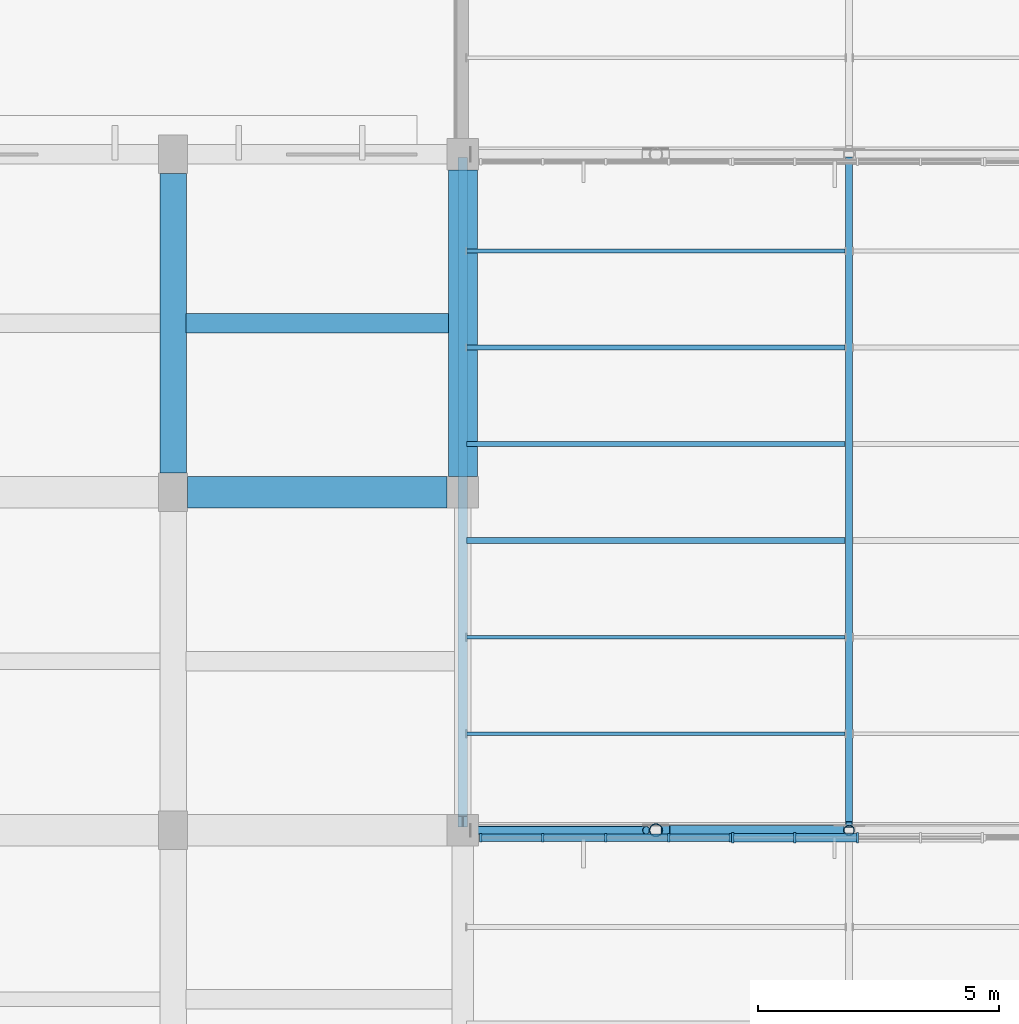
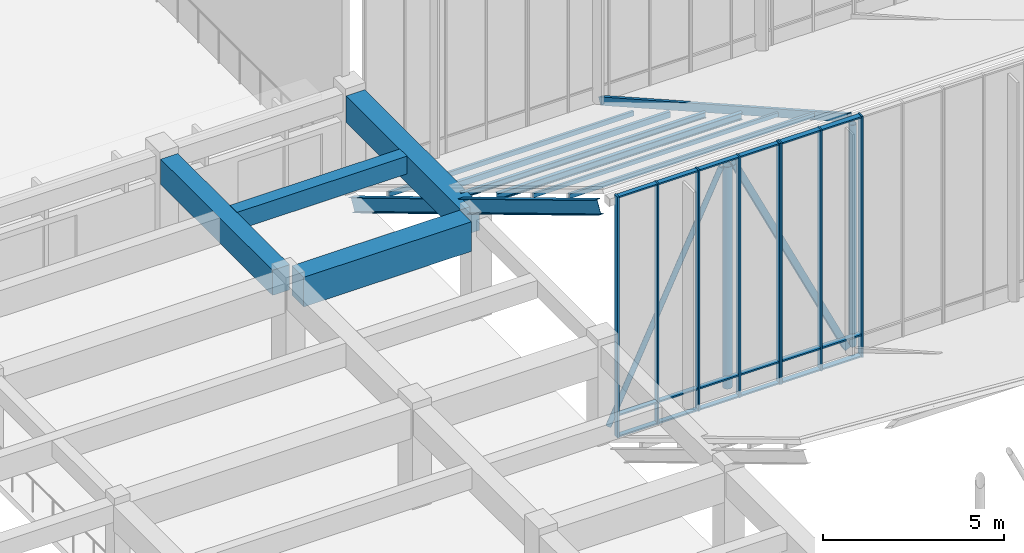
# One storey, part 62 of 155: 37 members, 5 beams, 2 elements without a shape of their own.
"""IFC4 building model written with IfcOpenShell, lengths in metres."""

from ifc_helpers import new_model, si_unit, direction, frame, origin, origin_2d, place, context, subcontext, project, spatial, rectangle, hollow_rectangle, hollow_circle, i_section, extrude, material, material_profile, profile_set, type_object, element, aggregate, save


model = new_model("IFC4")

# Units and contexts
model_context = context("Model", 3, precision=1e-05, world=origin(), true_north=direction((0.0, 1.0)))
body_context = subcontext(model_context, "Body", "Model", "MODEL_VIEW")
ifc_project = project(units=[si_unit("LENGTHUNIT", "METRE"), si_unit("AREAUNIT", "SQUARE_METRE"), si_unit("VOLUMEUNIT", "CUBIC_METRE"), si_unit("PLANEANGLEUNIT", "RADIAN"), si_unit("MASSUNIT", "GRAM", prefix="KILO")], contexts=[model_context])

# Site, building, storey
site_placement = place(None, origin())
site = spatial("IfcSite", under=ifc_project, at=site_placement, CompositionType="ELEMENT")
building_placement = place(site_placement, origin())
building = spatial("IfcBuilding", under=site, at=building_placement, Name="Larkveld Mobility Hub", CompositionType="ELEMENT")
storey_placement = place(building_placement, frame((0.0, 0.0, 8.39990234375)))
storey = spatial("IfcBuildingStorey", under=building, at=storey_placement, Name="L02", CompositionType="ELEMENT", Elevation=8.39990234375)

# Beams
ifc_material_1 = material(Name="Concrete C40/50", Category="concrete")
ifc_material_profile_1 = material_profile(ifc_material_1, rectangle(XDim=0.39990234375, YDim=0.60009765625, at=origin_2d()), Name="RC BM 400x600")
ifc_profile_set_1 = profile_set([ifc_material_profile_1], Name="Concrete C40/50")
beam_type_1 = type_object("IfcBeamType", Name="BM-RC4060", PredefinedType="BEAM", material=ifc_profile_set_1)
beam_1_placement = place(storey_placement, frame((146.27001953125, 108.5, 3.070068359375), z_axis=(1.0, 0.0, 0.0), x_axis=(0.0, 1.0, 0.0)))
element("IfcBeam", 1, at=beam_1_placement, inside=storey, type_object=beam_type_1, Name="Concourse Spine Joist L02-1108", PredefinedType="BEAM", context=body_context, shape_type="SweptSolid", body=[
    extrude(rectangle(XDim=0.39990234375, YDim=0.60009765625, at=origin_2d()), origin(), (0.0, 0.0, 1.0), 5.43505859375),
])
ifc_material_profile_2 = material_profile(ifc_material_1, rectangle(XDim=0.550048828125, YDim=0.85009765625, at=origin_2d()), Name="RC BM 550x850")
ifc_profile_set_2 = profile_set([ifc_material_profile_2], Name="Concrete C40/50")
beam_type_2 = type_object("IfcBeamType", Name="BM-RC5585", PredefinedType="BEAM", material=ifc_profile_set_2)
beam_2_placement = place(storey_placement, frame((146.0, 105.39990234375, 2.93505859375), z_axis=(0.0, 1.0, 0.0), x_axis=(-1.0, 0.0, 0.0)))
element("IfcBeam", 2, at=beam_2_placement, inside=storey, type_object=beam_type_2, Name="Primary N-S Girder L02-0670", PredefinedType="BEAM", context=body_context, shape_type="SweptSolid", body=[
    extrude(rectangle(XDim=0.550048828125, YDim=0.85009765625, at=origin_2d()), origin(), (0.0, 0.0, 1.0), 6.2001953125),
])
ifc_material_profile_3 = material_profile(ifc_material_1, rectangle(XDim=0.60009765625, YDim=0.89990234375, at=origin_2d()), Name="RC BM 600x900")
ifc_profile_set_3 = profile_set([ifc_material_profile_3], Name="Concrete C40/50")
beam_type_3 = type_object("IfcBeamType", Name="BM-RC6090", PredefinedType="BEAM", material=ifc_profile_set_3)
beam_3_placement = place(storey_placement, frame((152.0, 105.324951171875, 2.91015625), z_axis=(0.0, 1.0, 0.0), x_axis=(-1.0, 0.0, 0.0)))
element("IfcBeam", 3, at=beam_3_placement, inside=storey, type_object=beam_type_3, Name="Primary N-S Girder L02-0685", PredefinedType="BEAM", context=body_context, shape_type="SweptSolid", body=[
    extrude(rectangle(XDim=0.60009765625, YDim=0.89990234375, at=origin_2d()), origin(), (0.0, 0.0, 1.0), 6.35009765625),
])
ifc_material_profile_4 = material_profile(ifc_material_1, rectangle(XDim=0.64990234375, YDim=1.0, at=origin_2d()), Name="RC BM 650x1000")
ifc_profile_set_4 = profile_set([ifc_material_profile_4], Name="Concrete C40/50")
beam_type_4 = type_object("IfcBeamType", Name="BM-RC65100", PredefinedType="BEAM", material=ifc_profile_set_4)
beam_4_placement = place(storey_placement, frame((146.300048828125, 105.0, 2.860107421875), z_axis=(1.0, 0.0, 0.0), x_axis=(0.0, 1.0, 0.0)))
element("IfcBeam", 4, at=beam_4_placement, inside=storey, type_object=beam_type_4, Name="Primary E-W Girder L02-0555", PredefinedType="BEAM", context=body_context, shape_type="SweptSolid", body=[
    extrude(rectangle(XDim=0.64990234375, YDim=1.0, at=origin_2d()), origin(), (0.0, 0.0, 1.0), 5.375),
])
ifc_material_2 = material(Name="Steel S355JR", Category="steel")
ifc_material_profile_5 = material_profile(ifc_material_2, i_section(OverallWidth=0.18994140625, OverallDepth=0.449951171875, WebThickness=0.009521484375, FlangeThickness=0.0146484375, FilletRadius=0.02099609375, at=origin_2d()), Name="IPE 450")
ifc_profile_set_5 = profile_set([ifc_material_profile_5], Name="Steel S355JR")
beam_type_5 = type_object("IfcBeamType", Name="BM-STIPE450", PredefinedType="BEAM", material=ifc_profile_set_5)
beam_5_placement = place(storey_placement, frame((152.0, 98.179931640625, 7.68408203125), z_axis=(0.0, 0.857492925713, -0.514495755428), x_axis=(-1.0, 0.0, 0.0)))
element("IfcBeam", 5, at=beam_5_placement, inside=storey, type_object=beam_type_5, Name="ROOF TRUSS Sawtooth Edge Rafter B6-152", PredefinedType="BEAM", context=body_context, shape_type="SweptSolid", body=[
    extrude(i_section(OverallWidth=0.18994140625, OverallDepth=0.449951171875, WebThickness=0.009521484375, FlangeThickness=0.0146484375, FilletRadius=0.02099609375, at=origin_2d()), origin(), (0.0, 0.0, 1.0), 15.906982421875),
])

# Curtain wall, members
ifc_material_3 = material(Name="Anodised aluminium 6063-T6", Category="aluminium")
curtain_wall_type_1 = type_object("IfcCurtainWallType", Name="CW-SYS-02", PredefinedType="NOTDEFINED", material=ifc_material_3)
curtain_wall_1_placement = place(storey_placement, origin())
curtain_wall_1 = element("IfcCurtainWall", 6, at=curtain_wall_1_placement, inside=storey, type_object=curtain_wall_type_1, Name="Sawtooth South-Light Clerestory B6 CW-038", PredefinedType="NOTDEFINED")
ifc_material_profile_6 = material_profile(ifc_material_3, rectangle(XDim=0.050048828125, YDim=0.179931640625, at=origin_2d()), Name="ALU MULL 50x180")
ifc_profile_set_6 = profile_set([ifc_material_profile_6], Name="Anodised aluminium 6063-T6")
member_type_1 = type_object("IfcMemberType", Name="CW-MUL-02", PredefinedType="MULLION", material=ifc_profile_set_6)
member_1_placement = place(storey_placement, frame((152.375, 97.844970703125, -0.001953125), z_axis=(0.0, 0.0, 1.0), x_axis=(1.0, 0.0, 0.0)))
member_1 = element("IfcMember", 7, at=member_1_placement, type_object=member_type_1, Name="CW02 mullion 1", PredefinedType="MULLION", context=body_context, shape_type="SweptSolid", body=[
    extrude(rectangle(XDim=0.050048828125, YDim=0.179931640625, at=origin_2d()), origin(), (0.0, 0.0, 1.0), 8.152099609375),
])
member_2_placement = place(storey_placement, frame((153.654052734375, 97.844970703125, -0.001953125), z_axis=(0.0, 0.0, 1.0), x_axis=(1.0, 0.0, 0.0)))
member_2 = element("IfcMember", 8, at=member_2_placement, type_object=member_type_1, Name="CW02 mullion 2", PredefinedType="MULLION", context=body_context, shape_type="SweptSolid", body=[
    extrude(rectangle(XDim=0.050048828125, YDim=0.179931640625, at=origin_2d()), origin(), (0.0, 0.0, 1.0), 8.152099609375),
])
member_3_placement = place(storey_placement, frame((154.9580078125, 97.844970703125, -0.001953125), z_axis=(0.0, 0.0, 1.0), x_axis=(1.0, 0.0, 0.0)))
member_3 = element("IfcMember", 9, at=member_3_placement, type_object=member_type_1, Name="CW02 mullion 3", PredefinedType="MULLION", context=body_context, shape_type="SweptSolid", body=[
    extrude(rectangle(XDim=0.050048828125, YDim=0.179931640625, at=origin_2d()), origin(), (0.0, 0.0, 1.0), 8.152099609375),
])
member_4_placement = place(storey_placement, frame((156.261962890625, 97.844970703125, -0.001953125), z_axis=(0.0, 0.0, 1.0), x_axis=(1.0, 0.0, 0.0)))
member_4 = element("IfcMember", 10, at=member_4_placement, type_object=member_type_1, Name="CW02 mullion 4", PredefinedType="MULLION", context=body_context, shape_type="SweptSolid", body=[
    extrude(rectangle(XDim=0.050048828125, YDim=0.179931640625, at=origin_2d()), origin(), (0.0, 0.0, 1.0), 8.152099609375),
])
member_5_placement = place(storey_placement, frame((157.5419921875, 97.844970703125, -0.001953125), z_axis=(0.0, 0.0, 1.0), x_axis=(1.0, 0.0, 0.0)))
member_5 = element("IfcMember", 11, at=member_5_placement, type_object=member_type_1, Name="CW02 mullion 5", PredefinedType="MULLION", context=body_context, shape_type="SweptSolid", body=[
    extrude(rectangle(XDim=0.050048828125, YDim=0.179931640625, at=origin_2d()), origin(), (0.0, 0.0, 1.0), 8.152099609375),
])

curtain_wall_type_2 = type_object("IfcCurtainWallType", Name="CW-SYS-03", PredefinedType="NOTDEFINED", material=ifc_material_3)
curtain_wall_2_placement = place(storey_placement, origin())
curtain_wall_2 = element("IfcCurtainWall", 12, at=curtain_wall_2_placement, inside=storey, type_object=curtain_wall_type_2, Name="Sawtooth South-Light Clerestory B6 CW-039", PredefinedType="NOTDEFINED")
ifc_material_profile_7 = material_profile(ifc_material_3, rectangle(XDim=0.050048828125, YDim=0.2099609375, at=origin_2d()), Name="ALU MULL 50x210")
ifc_profile_set_7 = profile_set([ifc_material_profile_7], Name="Anodised aluminium 6063-T6")
member_type_2 = type_object("IfcMemberType", Name="CW-MUL-03", PredefinedType="MULLION", material=ifc_profile_set_7)
member_6_placement = place(storey_placement, frame((157.592041015625, 97.844970703125, -0.001953125), z_axis=(0.0, 0.0, 1.0), x_axis=(1.0, 0.0, 0.0)))
member_6 = element("IfcMember", 13, at=member_6_placement, type_object=member_type_2, Name="CW03 mullion 1", PredefinedType="MULLION", context=body_context, shape_type="SweptSolid", body=[
    extrude(rectangle(XDim=0.050048828125, YDim=0.2099609375, at=origin_2d()), origin(), (0.0, 0.0, 1.0), 8.152099609375),
])
member_7_placement = place(storey_placement, frame((158.87109375, 97.844970703125, -0.001953125), z_axis=(0.0, 0.0, 1.0), x_axis=(1.0, 0.0, 0.0)))
member_7 = element("IfcMember", 14, at=member_7_placement, type_object=member_type_2, Name="CW03 mullion 2", PredefinedType="MULLION", context=body_context, shape_type="SweptSolid", body=[
    extrude(rectangle(XDim=0.050048828125, YDim=0.2099609375, at=origin_2d()), origin(), (0.0, 0.0, 1.0), 8.152099609375),
])
member_8_placement = place(storey_placement, frame((160.175048828125, 97.844970703125, -0.001953125), z_axis=(0.0, 0.0, 1.0), x_axis=(1.0, 0.0, 0.0)))
member_8 = element("IfcMember", 15, at=member_8_placement, type_object=member_type_2, Name="CW03 mullion 3", PredefinedType="MULLION", context=body_context, shape_type="SweptSolid", body=[
    extrude(rectangle(XDim=0.050048828125, YDim=0.2099609375, at=origin_2d()), origin(), (0.0, 0.0, 1.0), 8.152099609375),
])

# Member
ifc_material_profile_8 = material_profile(ifc_material_3, rectangle(XDim=0.14990234375, YDim=0.050048828125, at=origin_2d()), Name="ALU TRAN 50x150")
ifc_profile_set_8 = profile_set([ifc_material_profile_8], Name="Anodised aluminium 6063-T6")
member_type_3 = type_object("IfcMemberType", Name="CW-TRN-02", PredefinedType="USERDEFINED", material=ifc_profile_set_8)
member_9_placement = place(storey_placement, frame((152.385009765625, 97.844970703125, 0.030029296875), z_axis=(1.0, 0.0, 0.0), x_axis=(0.0, 1.0, 0.0)))
member_9 = element("IfcMember", 16, at=member_9_placement, type_object=member_type_3, Name="CW02 transom 1.1", ObjectType="TRANSOM", PredefinedType="USERDEFINED", context=body_context, shape_type="SweptSolid", body=[
    extrude(rectangle(XDim=0.14990234375, YDim=0.050048828125, at=origin_2d()), origin(), (0.0, 0.0, 1.0), 1.25390625),
])

member_10_placement = place(storey_placement, frame((152.385009765625, 97.844970703125, 0.75), z_axis=(1.0, 0.0, 0.0), x_axis=(0.0, 1.0, 0.0)))
member_10 = element("IfcMember", 17, at=member_10_placement, type_object=member_type_3, Name="CW02 transom 1.2", ObjectType="TRANSOM", PredefinedType="USERDEFINED", context=body_context, shape_type="SweptSolid", body=[
    extrude(rectangle(XDim=0.14990234375, YDim=0.050048828125, at=origin_2d()), origin(), (0.0, 0.0, 1.0), 1.25390625),
])

member_11_placement = place(storey_placement, frame((152.385009765625, 97.844970703125, 8.1181640625), z_axis=(1.0, 0.0, 0.0), x_axis=(0.0, 1.0, 0.0)))
member_11 = element("IfcMember", 18, at=member_11_placement, type_object=member_type_3, Name="CW02 transom 1.3", ObjectType="TRANSOM", PredefinedType="USERDEFINED", context=body_context, shape_type="SweptSolid", body=[
    extrude(rectangle(XDim=0.14990234375, YDim=0.050048828125, at=origin_2d()), origin(), (0.0, 0.0, 1.0), 1.25390625),
])

member_12_placement = place(storey_placement, frame((153.6689453125, 97.844970703125, 0.030029296875), z_axis=(1.0, 0.0, 0.0), x_axis=(0.0, 1.0, 0.0)))
member_12 = element("IfcMember", 19, at=member_12_placement, type_object=member_type_3, Name="CW02 transom 2.1", ObjectType="TRANSOM", PredefinedType="USERDEFINED", context=body_context, shape_type="SweptSolid", body=[
    extrude(rectangle(XDim=0.14990234375, YDim=0.050048828125, at=origin_2d()), origin(), (0.0, 0.0, 1.0), 1.274169921875),
])

member_13_placement = place(storey_placement, frame((153.6689453125, 97.844970703125, 0.75), z_axis=(1.0, 0.0, 0.0), x_axis=(0.0, 1.0, 0.0)))
member_13 = element("IfcMember", 20, at=member_13_placement, type_object=member_type_3, Name="CW02 transom 2.2", ObjectType="TRANSOM", PredefinedType="USERDEFINED", context=body_context, shape_type="SweptSolid", body=[
    extrude(rectangle(XDim=0.14990234375, YDim=0.050048828125, at=origin_2d()), origin(), (0.0, 0.0, 1.0), 1.274169921875),
])

member_14_placement = place(storey_placement, frame((153.6689453125, 97.844970703125, 8.1181640625), z_axis=(1.0, 0.0, 0.0), x_axis=(0.0, 1.0, 0.0)))
member_14 = element("IfcMember", 21, at=member_14_placement, type_object=member_type_3, Name="CW02 transom 2.3", ObjectType="TRANSOM", PredefinedType="USERDEFINED", context=body_context, shape_type="SweptSolid", body=[
    extrude(rectangle(XDim=0.14990234375, YDim=0.050048828125, at=origin_2d()), origin(), (0.0, 0.0, 1.0), 1.274169921875),
])

member_15_placement = place(storey_placement, frame((154.972900390625, 97.844970703125, 0.030029296875), z_axis=(1.0, 0.0, 0.0), x_axis=(0.0, 1.0, 0.0)))
member_15 = element("IfcMember", 22, at=member_15_placement, type_object=member_type_3, Name="CW02 transom 3.1", ObjectType="TRANSOM", PredefinedType="USERDEFINED", context=body_context, shape_type="SweptSolid", body=[
    extrude(rectangle(XDim=0.14990234375, YDim=0.050048828125, at=origin_2d()), origin(), (0.0, 0.0, 1.0), 1.275146484375),
])

member_16_placement = place(storey_placement, frame((154.972900390625, 97.844970703125, 0.75), z_axis=(1.0, 0.0, 0.0), x_axis=(0.0, 1.0, 0.0)))
member_16 = element("IfcMember", 23, at=member_16_placement, type_object=member_type_3, Name="CW02 transom 3.2", ObjectType="TRANSOM", PredefinedType="USERDEFINED", context=body_context, shape_type="SweptSolid", body=[
    extrude(rectangle(XDim=0.14990234375, YDim=0.050048828125, at=origin_2d()), origin(), (0.0, 0.0, 1.0), 1.275146484375),
])

member_17_placement = place(storey_placement, frame((154.972900390625, 97.844970703125, 8.1181640625), z_axis=(1.0, 0.0, 0.0), x_axis=(0.0, 1.0, 0.0)))
member_17 = element("IfcMember", 24, at=member_17_placement, type_object=member_type_3, Name="CW02 transom 3.3", ObjectType="TRANSOM", PredefinedType="USERDEFINED", context=body_context, shape_type="SweptSolid", body=[
    extrude(rectangle(XDim=0.14990234375, YDim=0.050048828125, at=origin_2d()), origin(), (0.0, 0.0, 1.0), 1.275146484375),
])

member_18_placement = place(storey_placement, frame((156.278076171875, 97.844970703125, 0.030029296875), z_axis=(1.0, 0.0, 0.0), x_axis=(0.0, 1.0, 0.0)))
member_18 = element("IfcMember", 25, at=member_18_placement, type_object=member_type_3, Name="CW02 transom 4.1", ObjectType="TRANSOM", PredefinedType="USERDEFINED", context=body_context, shape_type="SweptSolid", body=[
    extrude(rectangle(XDim=0.14990234375, YDim=0.050048828125, at=origin_2d()), origin(), (0.0, 0.0, 1.0), 1.25390625),
])

member_19_placement = place(storey_placement, frame((156.278076171875, 97.844970703125, 0.75), z_axis=(1.0, 0.0, 0.0), x_axis=(0.0, 1.0, 0.0)))
member_19 = element("IfcMember", 26, at=member_19_placement, type_object=member_type_3, Name="CW02 transom 4.2", ObjectType="TRANSOM", PredefinedType="USERDEFINED", context=body_context, shape_type="SweptSolid", body=[
    extrude(rectangle(XDim=0.14990234375, YDim=0.050048828125, at=origin_2d()), origin(), (0.0, 0.0, 1.0), 1.25390625),
])

member_20_placement = place(storey_placement, frame((156.278076171875, 97.844970703125, 8.1181640625), z_axis=(1.0, 0.0, 0.0), x_axis=(0.0, 1.0, 0.0)))
member_20 = element("IfcMember", 27, at=member_20_placement, type_object=member_type_3, Name="CW02 transom 4.3", ObjectType="TRANSOM", PredefinedType="USERDEFINED", context=body_context, shape_type="SweptSolid", body=[
    extrude(rectangle(XDim=0.14990234375, YDim=0.050048828125, at=origin_2d()), origin(), (0.0, 0.0, 1.0), 1.25390625),
])

aggregate(curtain_wall_1, [member_1, member_2, member_3, member_4, member_5, member_9, member_10, member_11, member_12, member_13, member_14, member_15, member_16, member_17, member_18, member_19, member_20])

ifc_material_profile_9 = material_profile(ifc_material_3, rectangle(XDim=0.169921875, YDim=0.050048828125, at=origin_2d()), Name="ALU TRAN 50x170")
ifc_profile_set_9 = profile_set([ifc_material_profile_9], Name="Anodised aluminium 6063-T6")
member_type_4 = type_object("IfcMemberType", Name="CW-TRN-03", PredefinedType="USERDEFINED", material=ifc_profile_set_9)
member_21_placement = place(storey_placement, frame((157.60205078125, 97.844970703125, 0.030029296875), z_axis=(1.0, 0.0, 0.0), x_axis=(0.0, 1.0, 0.0)))
member_21 = element("IfcMember", 28, at=member_21_placement, type_object=member_type_4, Name="CW03 transom 1.1", ObjectType="TRANSOM", PredefinedType="USERDEFINED", context=body_context, shape_type="SweptSolid", body=[
    extrude(rectangle(XDim=0.169921875, YDim=0.050048828125, at=origin_2d()), origin(), (0.0, 0.0, 1.0), 1.25390625),
])

member_22_placement = place(storey_placement, frame((157.60205078125, 97.844970703125, 0.75), z_axis=(1.0, 0.0, 0.0), x_axis=(0.0, 1.0, 0.0)))
member_22 = element("IfcMember", 29, at=member_22_placement, type_object=member_type_4, Name="CW03 transom 1.2", ObjectType="TRANSOM", PredefinedType="USERDEFINED", context=body_context, shape_type="SweptSolid", body=[
    extrude(rectangle(XDim=0.169921875, YDim=0.050048828125, at=origin_2d()), origin(), (0.0, 0.0, 1.0), 1.25390625),
])

member_23_placement = place(storey_placement, frame((157.60205078125, 97.844970703125, 8.1181640625), z_axis=(1.0, 0.0, 0.0), x_axis=(0.0, 1.0, 0.0)))
member_23 = element("IfcMember", 30, at=member_23_placement, type_object=member_type_4, Name="CW03 transom 1.3", ObjectType="TRANSOM", PredefinedType="USERDEFINED", context=body_context, shape_type="SweptSolid", body=[
    extrude(rectangle(XDim=0.169921875, YDim=0.050048828125, at=origin_2d()), origin(), (0.0, 0.0, 1.0), 1.25390625),
])

member_24_placement = place(storey_placement, frame((158.885986328125, 97.844970703125, 0.030029296875), z_axis=(1.0, 0.0, 0.0), x_axis=(0.0, 1.0, 0.0)))
member_24 = element("IfcMember", 31, at=member_24_placement, type_object=member_type_4, Name="CW03 transom 2.1", ObjectType="TRANSOM", PredefinedType="USERDEFINED", context=body_context, shape_type="SweptSolid", body=[
    extrude(rectangle(XDim=0.169921875, YDim=0.050048828125, at=origin_2d()), origin(), (0.0, 0.0, 1.0), 1.27392578125),
])

member_25_placement = place(storey_placement, frame((158.885986328125, 97.844970703125, 0.75), z_axis=(1.0, 0.0, 0.0), x_axis=(0.0, 1.0, 0.0)))
member_25 = element("IfcMember", 32, at=member_25_placement, type_object=member_type_4, Name="CW03 transom 2.2", ObjectType="TRANSOM", PredefinedType="USERDEFINED", context=body_context, shape_type="SweptSolid", body=[
    extrude(rectangle(XDim=0.169921875, YDim=0.050048828125, at=origin_2d()), origin(), (0.0, 0.0, 1.0), 1.27392578125),
])

member_26_placement = place(storey_placement, frame((158.885986328125, 97.844970703125, 8.1181640625), z_axis=(1.0, 0.0, 0.0), x_axis=(0.0, 1.0, 0.0)))
member_26 = element("IfcMember", 33, at=member_26_placement, type_object=member_type_4, Name="CW03 transom 2.3", ObjectType="TRANSOM", PredefinedType="USERDEFINED", context=body_context, shape_type="SweptSolid", body=[
    extrude(rectangle(XDim=0.169921875, YDim=0.050048828125, at=origin_2d()), origin(), (0.0, 0.0, 1.0), 1.27392578125),
])

aggregate(curtain_wall_2, [member_6, member_7, member_8, member_21, member_22, member_23, member_24, member_25, member_26])

# Members
ifc_material_profile_10 = material_profile(ifc_material_2, hollow_circle(Radius=0.084228515625, WallThickness=0.008056640625, at=origin_2d()), Name="CHS 168.3x8")
ifc_profile_set_10 = profile_set([ifc_material_profile_10], Name="Steel S355JR")
member_type_5 = type_object("IfcMemberType", Name="MB-BR-CHS168", PredefinedType="BRACE", material=ifc_profile_set_10)
member_27_placement = place(storey_placement, frame((152.199951171875, 98.0, 0.32421875), z_axis=(0.432694817509, 0.0, 0.901540456608), x_axis=(0.0, 1.0, 0.0)))
element("IfcMember", 34, at=member_27_placement, inside=storey, type_object=member_type_5, Name="ROOF TRUSS T6 Web Diagonal 1", PredefinedType="BRACE", context=body_context, shape_type="SweptSolid", body=[
    extrude(hollow_circle(Radius=0.084228515625, WallThickness=0.008056640625, at=origin_2d()), origin(), (0.0, 0.0, 1.0), 8.320068359375),
])
ifc_material_profile_11 = material_profile(ifc_material_2, hollow_circle(Radius=0.109619140625, WallThickness=0.010009765625, at=origin_2d()), Name="CHS 219.1x10")
ifc_profile_set_11 = profile_set([ifc_material_profile_11], Name="Steel S355JR")
member_type_6 = type_object("IfcMemberType", Name="MB-BR-CHS219", PredefinedType="BRACE", material=ifc_profile_set_11)
member_28_placement = place(storey_placement, frame((160.0, 98.0, 0.32421875), z_axis=(0.0, 0.0, 1.0), x_axis=(1.0, 0.0, 0.0)))
element("IfcMember", 35, at=member_28_placement, inside=storey, type_object=member_type_6, Name="ROOF TRUSS T6 Vertical Post 2", PredefinedType="BRACE", context=body_context, shape_type="SweptSolid", body=[
    extrude(hollow_circle(Radius=0.109619140625, WallThickness=0.010009765625, at=origin_2d()), origin(), (0.0, 0.0, 1.0), 7.5009765625),
])
ifc_material_profile_12 = material_profile(ifc_material_2, hollow_circle(Radius=0.136474609375, WallThickness=0.012451171875, at=origin_2d()), Name="CHS 273x12.5")
ifc_profile_set_12 = profile_set([ifc_material_profile_12], Name="Steel S355JR")
member_type_7 = type_object("IfcMemberType", Name="MB-BR-CHS273", PredefinedType="BRACE", material=ifc_profile_set_12)
member_29_placement = place(storey_placement, frame((156.0, 98.0, 0.32421875), z_axis=(0.0, 0.0, 1.0), x_axis=(1.0, 0.0, 0.0)))
element("IfcMember", 36, at=member_29_placement, inside=storey, type_object=member_type_7, Name="ROOF TRUSS T6 Vertical Post 1", PredefinedType="BRACE", context=body_context, shape_type="SweptSolid", body=[
    extrude(hollow_circle(Radius=0.136474609375, WallThickness=0.012451171875, at=origin_2d()), origin(), (0.0, 0.0, 1.0), 7.5009765625),
])
ifc_material_profile_13 = material_profile(ifc_material_2, hollow_rectangle(XDim=0.199951171875, YDim=0.199951171875, WallThickness=0.010009765625, at=origin_2d()), Name="SHS 200x200x10")
ifc_profile_set_13 = profile_set([ifc_material_profile_13], Name="Steel S355JR")
member_type_8 = type_object("IfcMemberType", Name="MB-BR-SHS200", PredefinedType="BRACE", material=ifc_profile_set_13)
member_30_placement = place(storey_placement, frame((156.199951171875, 98.0, 7.8251953125), z_axis=(0.432694817509, 0.0, -0.901540456608), x_axis=(0.0, 1.0, 0.0)))
element("IfcMember", 37, at=member_30_placement, inside=storey, type_object=member_type_8, Name="ROOF TRUSS T6 Web Diagonal 2", PredefinedType="BRACE", context=body_context, shape_type="SweptSolid", body=[
    extrude(hollow_rectangle(XDim=0.199951171875, YDim=0.199951171875, WallThickness=0.010009765625, at=origin_2d()), origin(), (0.0, 0.0, 1.0), 8.320068359375),
])
ifc_material_profile_14 = material_profile(ifc_material_2, hollow_rectangle(XDim=0.14990234375, YDim=0.25, WallThickness=0.010009765625, at=origin_2d()), Name="RHS 250x150x10")
ifc_profile_set_14 = profile_set([ifc_material_profile_14], Name="Steel S355JR")
member_type_9 = type_object("IfcMemberType", Name="MB-CH-RHS250", PredefinedType="CHORD", material=ifc_profile_set_14)
member_31_placement = place(storey_placement, frame((160.0, 98.1201171875, 7.9501953125), z_axis=(0.0, 0.870759014799, -0.491710014283), x_axis=(-1.0, 0.0, 0.0)))
element("IfcMember", 38, at=member_31_placement, inside=storey, type_object=member_type_9, Name="ROOF TRUSS Sloped Rafter Chord B6-160", PredefinedType="CHORD", context=body_context, shape_type="SweptSolid", body=[
    extrude(hollow_rectangle(XDim=0.14990234375, YDim=0.25, WallThickness=0.010009765625, at=origin_2d()), origin(), (0.0, 0.0, 1.0), 15.802001953125),
])
ifc_material_profile_15 = material_profile(ifc_material_2, i_section(OverallWidth=0.10009765625, OverallDepth=0.199951171875, WebThickness=0.005615234375, FlangeThickness=0.008544921875, FilletRadius=0.011962890625, at=origin_2d()), Name="IPE 200")
ifc_profile_set_15 = profile_set([ifc_material_profile_15], Name="Steel S355JR")
member_type_10 = type_object("IfcMemberType", Name="MB-PR-IPE200", PredefinedType="PURLIN", material=ifc_profile_set_15)
member_32_placement = place(storey_placement, frame((152.080078125, 106.0, 3.30712890625), z_axis=(1.0, 0.0, 0.0), x_axis=(0.0, 1.0, 0.0)))
element("IfcMember", 39, at=member_32_placement, inside=storey, type_object=member_type_10, Name="Sawtooth Roof Purlin B6-4.1", PredefinedType="PURLIN", context=body_context, shape_type="SweptSolid", body=[
    extrude(i_section(OverallWidth=0.10009765625, OverallDepth=0.199951171875, WebThickness=0.005615234375, FlangeThickness=0.008544921875, FilletRadius=0.011962890625, at=origin_2d()), origin(), (0.0, 0.0, 1.0), 7.83984375),
])
ifc_material_profile_16 = material_profile(ifc_material_2, i_section(OverallWidth=0.1201171875, OverallDepth=0.239990234375, WebThickness=0.006103515625, FlangeThickness=0.009765625, FilletRadius=0.014892578125, at=origin_2d()), Name="IPE 240")
ifc_profile_set_16 = profile_set([ifc_material_profile_16], Name="Steel S355JR")
member_type_11 = type_object("IfcMemberType", Name="MB-PR-IPE240", PredefinedType="PURLIN", material=ifc_profile_set_16)
member_33_placement = place(storey_placement, frame((152.080078125, 104.0, 4.487060546875), z_axis=(1.0, 0.0, 0.0), x_axis=(0.0, 1.0, 0.0)))
element("IfcMember", 40, at=member_33_placement, inside=storey, type_object=member_type_11, Name="Sawtooth Roof Purlin B6-3.1", PredefinedType="PURLIN", context=body_context, shape_type="SweptSolid", body=[
    extrude(i_section(OverallWidth=0.1201171875, OverallDepth=0.239990234375, WebThickness=0.006103515625, FlangeThickness=0.009765625, FilletRadius=0.014892578125, at=origin_2d()), origin(), (0.0, 0.0, 1.0), 7.83984375),
])
ifc_material_profile_17 = material_profile(ifc_material_2, hollow_rectangle(XDim=0.070068359375, YDim=0.139892578125, WallThickness=0.00634765625, at=origin_2d()), Name="RHS 140x70x6.3")
ifc_profile_set_17 = profile_set([ifc_material_profile_17], Name="Steel S355JR")
member_type_12 = type_object("IfcMemberType", Name="MB-PR-RHS140", PredefinedType="PURLIN", material=ifc_profile_set_17)
member_34_placement = place(storey_placement, frame((152.080078125, 102.0, 5.737060546875), z_axis=(1.0, 0.0, 0.0), x_axis=(0.0, 1.0, 0.0)))
element("IfcMember", 41, at=member_34_placement, inside=storey, type_object=member_type_12, Name="Sawtooth Roof Purlin B6-2.1", PredefinedType="PURLIN", context=body_context, shape_type="SweptSolid", body=[
    extrude(hollow_rectangle(XDim=0.070068359375, YDim=0.139892578125, WallThickness=0.00634765625, at=origin_2d()), origin(), (0.0, 0.0, 1.0), 7.83984375),
])
ifc_material_profile_18 = material_profile(ifc_material_2, hollow_rectangle(XDim=0.080078125, YDim=0.159912109375, WallThickness=0.008056640625, at=origin_2d()), Name="RHS 160x80x8")
ifc_profile_set_18 = profile_set([ifc_material_profile_18], Name="Steel S355JR")
member_type_13 = type_object("IfcMemberType", Name="MB-PR-RHS160", PredefinedType="PURLIN", material=ifc_profile_set_18)
for number, where, z_axis, x_axis, name in (
    (42, (152.080078125, 100.0, 6.927001953125), (1.0, 0.0, 0.0), (0.0, 1.0, 0.0), "Sawtooth Roof Purlin B6-1.1"),
    (43, (152.080078125, 110.0, 0.927001953125), (1.0, 0.0, 0.0), (0.0, 1.0, 0.0), "Sawtooth Roof Purlin B6-6.1"),
):
    element("IfcMember", number, at=place(storey_placement, frame(where, z_axis=z_axis, x_axis=x_axis)), inside=storey, type_object=member_type_13, Name=name, PredefinedType="PURLIN", context=body_context, shape_type="SweptSolid", body=[
        extrude(hollow_rectangle(XDim=0.080078125, YDim=0.159912109375, WallThickness=0.008056640625, at=origin_2d()), origin(), (0.0, 0.0, 1.0), 7.83984375),
    ])
ifc_material_profile_19 = material_profile(ifc_material_2, hollow_rectangle(XDim=0.10009765625, YDim=0.199951171875, WallThickness=0.008056640625, at=origin_2d()), Name="RHS 200x100x8")
ifc_profile_set_19 = profile_set([ifc_material_profile_19], Name="Steel S355JR")
member_type_14 = type_object("IfcMemberType", Name="MB-PR-RHS200", PredefinedType="PURLIN", material=ifc_profile_set_19)
member_35_placement = place(storey_placement, frame((152.080078125, 108.0, 2.107177734375), z_axis=(1.0, 0.0, 0.0), x_axis=(0.0, 1.0, 0.0)))
element("IfcMember", 44, at=member_35_placement, inside=storey, type_object=member_type_14, Name="Sawtooth Roof Purlin B6-5.1", PredefinedType="PURLIN", context=body_context, shape_type="SweptSolid", body=[
    extrude(hollow_rectangle(XDim=0.10009765625, YDim=0.199951171875, WallThickness=0.008056640625, at=origin_2d()), origin(), (0.0, 0.0, 1.0), 7.83984375),
])

save(model, "model.ifc")
